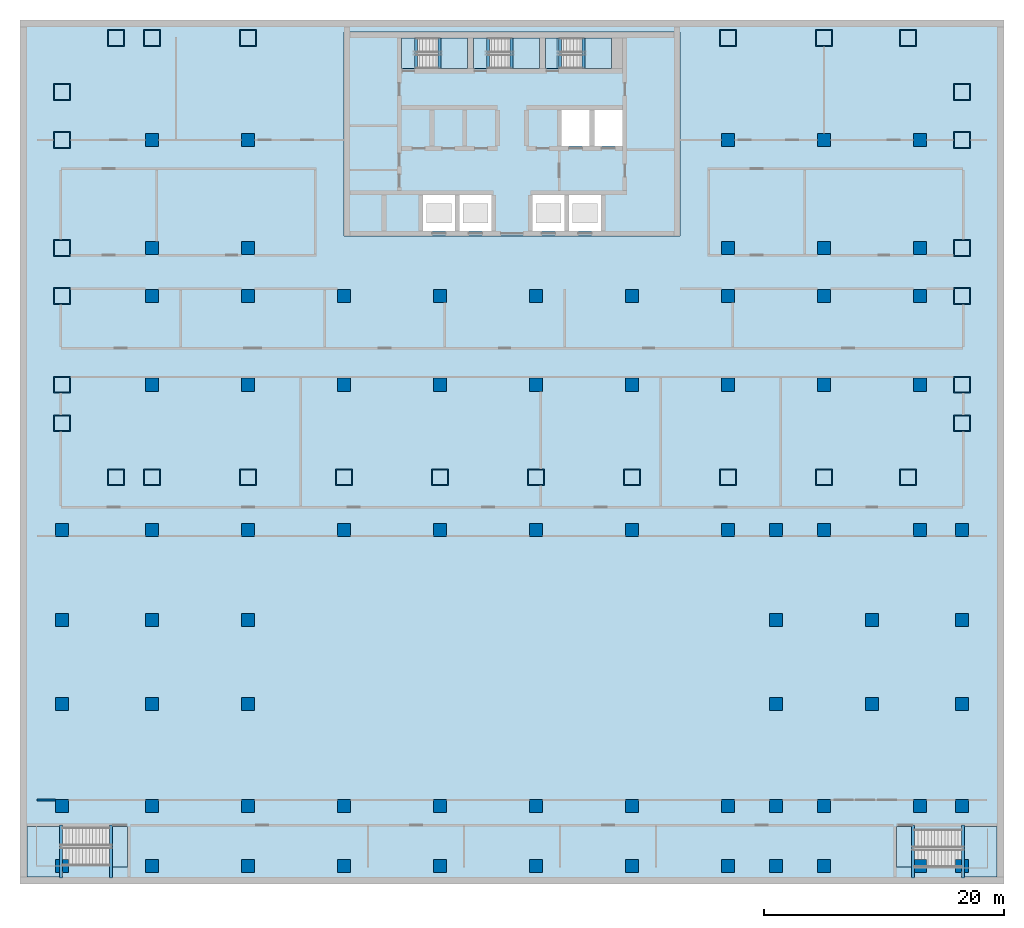
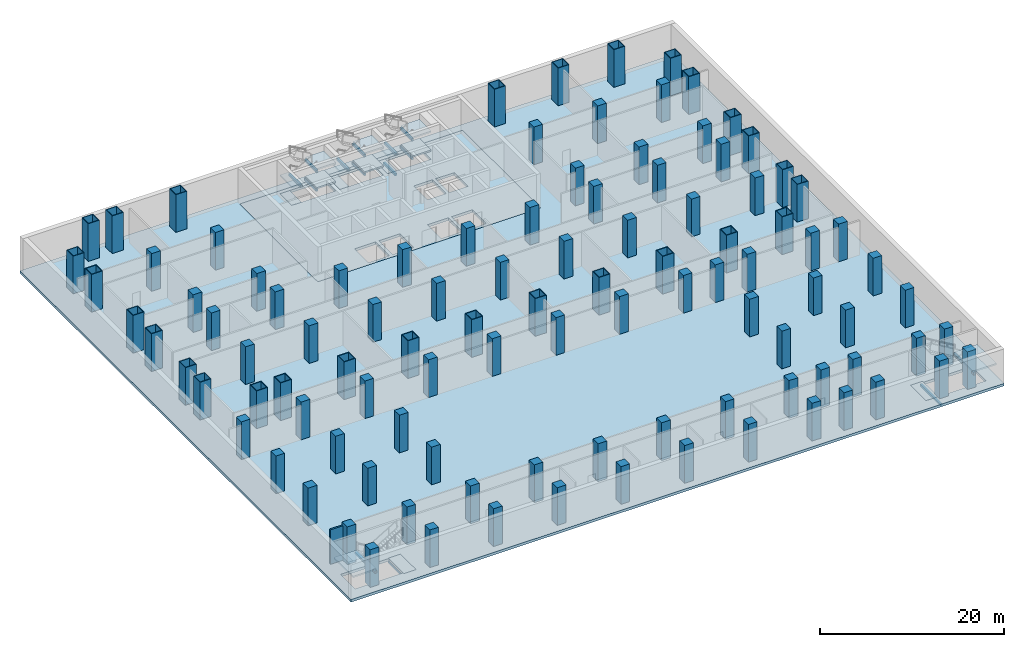
# One storey, part 1 of 12: 104 columns, 18 slabs, 14 beams, 1 wall, 5 elements without a shape of their own.
"""IFC4 building model written with IfcOpenShell, lengths in metres."""

from ifc_helpers import new_model, si_unit, direction, frame, frame_2d, origin, origin_2d, place, context, subcontext, project, spatial, polyline, rectangle, hollow_rectangle, outline, extrude, material, layer, layer_set, material_profile, profile_set, type_object, element, aggregate, save


model = new_model("IFC4")

# Units and contexts
model_context = context("Model", 3, precision=1e-05, world=origin(), true_north=direction((0.0, 1.0)))
body_context = subcontext(model_context, "Body", "Model", "MODEL_VIEW")
ifc_project = project(units=[si_unit("LENGTHUNIT", "METRE"), si_unit("AREAUNIT", "SQUARE_METRE"), si_unit("VOLUMEUNIT", "CUBIC_METRE"), si_unit("PLANEANGLEUNIT", "RADIAN"), si_unit("MASSUNIT", "GRAM", prefix="KILO")], contexts=[model_context])

# Site, building, storey
site_placement = place(None, origin())
site = spatial("IfcSite", under=ifc_project, at=site_placement, CompositionType="ELEMENT")
building_placement = place(site_placement, origin())
building = spatial("IfcBuilding", under=site, at=building_placement, Name="Vidyagriha Tower", CompositionType="ELEMENT")
storey_placement = place(building_placement, frame((0.0, 0.0, -5.0)))
storey = spatial("IfcBuildingStorey", under=building, at=storey_placement, Name="B1", CompositionType="ELEMENT", Elevation=-5.0)

# Columns
ifc_material_1 = material(Name="Steel ASTM A572 Grade 50", Category="steel")
ifc_material_profile_1 = material_profile(ifc_material_1, hollow_rectangle(XDim=1.39990234375, YDim=1.39990234375, WallThickness=0.080078125, at=origin_2d()), Name="BOX 1400x1400x80")
ifc_profile_set_1 = profile_set([ifc_material_profile_1], Name="Steel ASTM A572 Grade 50")
column_type_1 = type_object("IfcColumnType", Name="Exoskeleton column BOX 1400x1400x80", PredefinedType="COLUMN", material=ifc_profile_set_1)
for number, where, name in (
    (1, (-33.0, -17.10009765625, 0.0), "st-col-B1-B1-001"),
    (2, (-30.0, -17.10009765625, 0.0), "st-col-B1-B1-002"),
    (3, (-22.0, -17.10009765625, 0.0), "st-col-B1-B1-003"),
    (4, (-14.0, -17.10009765625, 0.0), "st-col-B1-B1-004"),
    (5, (-6.0, -17.10009765625, 0.0), "st-col-B1-B1-005"),
    (6, (2.0, -17.10009765625, 0.0), "st-col-B1-B1-006"),
    (7, (10.0, -17.10009765625, 0.0), "st-col-B1-B1-007"),
    (8, (18.0, -17.10009765625, 0.0), "st-col-B1-B1-008"),
    (9, (26.0, -17.10009765625, 0.0), "st-col-B1-B1-009"),
    (10, (33.0, -17.10009765625, 0.0), "st-col-B1-B1-010"),
    (11, (-37.5, -12.60009765625, 0.0), "st-col-B1-B1-011"),
    (12, (37.5, -12.60009765625, 0.0), "st-col-B1-B1-012"),
    (13, (-37.5, -9.39990234375, 0.0), "st-col-B1-B1-013"),
    (14, (37.5, -9.39990234375, 0.0), "st-col-B1-B1-023"),
    (15, (-37.5, -2.0, 0.0), "st-col-B1-B1-024"),
    (16, (37.5, -2.0, 0.0), "st-col-B1-B1-034"),
    (17, (-37.5, 2.0, 0.0), "st-col-B1-B1-035"),
    (18, (37.5, 2.0, 0.0), "st-col-B1-B1-041"),
    (19, (-37.5, 11.0, 0.0), "st-col-B1-B1-042"),
    (20, (37.5, 11.0, 0.0), "st-col-B1-B1-048"),
    (21, (-37.5, 15.0, 0.0), "st-col-B1-B1-049"),
    (22, (37.5, 15.0, 0.0), "st-col-B1-B1-050"),
    (23, (-33.0, 19.5, 0.0), "st-col-B1-B1-051"),
    (24, (-30.0, 19.5, 0.0), "st-col-B1-B1-052"),
    (25, (-22.0, 19.5, 0.0), "st-col-B1-B1-053"),
    (26, (18.0, 19.5, 0.0), "st-col-B1-B1-054"),
    (27, (26.0, 19.5, 0.0), "st-col-B1-B1-055"),
    (28, (33.0, 19.5, 0.0), "st-col-B1-B1-056"),
):
    element("IfcColumn", number, at=place(storey_placement, frame(where)), inside=storey, type_object=column_type_1, Name=name, PredefinedType="COLUMN", context=body_context, shape_type="SweptSolid", body=[
        extrude(hollow_rectangle(XDim=1.39990234375, YDim=1.39990234375, WallThickness=0.080078125, at=origin_2d()), origin(), (0.0, 0.0, 1.0), 5.0),
    ])
ifc_material_2 = material(Name="Concrete C80/95", Category="concrete")
ifc_material_profile_2 = material_profile(ifc_material_2, rectangle(XDim=1.10009765625, YDim=1.10009765625, at=origin_2d()), Name="RC 1100x1100")
ifc_profile_set_2 = profile_set([ifc_material_profile_2], Name="Concrete C80/95")
column_type_2 = type_object("IfcColumnType", Name="Frame column RC 1100x1100", PredefinedType="COLUMN", material=ifc_profile_set_2)
for number, where, name in (
    (29, (-30.0, -9.39990234375, 0.0), "st-col-B1-B1-014"),
    (30, (-22.0, -9.39990234375, 0.0), "st-col-B1-B1-015"),
    (31, (-14.0, -9.39990234375, 0.0), "st-col-B1-B1-016"),
    (32, (-6.0, -9.39990234375, 0.0), "st-col-B1-B1-017"),
    (33, (2.0, -9.39990234375, 0.0), "st-col-B1-B1-018"),
    (34, (10.0, -9.39990234375, 0.0), "st-col-B1-B1-019"),
    (35, (18.0, -9.39990234375, 0.0), "st-col-B1-B1-020"),
    (36, (26.0, -9.39990234375, 0.0), "st-col-B1-B1-021"),
    (37, (34.0, -9.39990234375, 0.0), "st-col-B1-B1-022"),
    (38, (-30.0, -2.0, 0.0), "st-col-B1-B1-025"),
    (39, (-22.0, -2.0, 0.0), "st-col-B1-B1-026"),
    (40, (-14.0, -2.0, 0.0), "st-col-B1-B1-027"),
    (41, (-6.0, -2.0, 0.0), "st-col-B1-B1-028"),
    (42, (2.0, -2.0, 0.0), "st-col-B1-B1-029"),
    (43, (10.0, -2.0, 0.0), "st-col-B1-B1-030"),
    (44, (18.0, -2.0, 0.0), "st-col-B1-B1-031"),
    (45, (26.0, -2.0, 0.0), "st-col-B1-B1-032"),
    (46, (34.0, -2.0, 0.0), "st-col-B1-B1-033"),
    (47, (-30.0, 2.0, 0.0), "st-col-B1-B1-036"),
    (48, (-22.0, 2.0, 0.0), "st-col-B1-B1-037"),
    (49, (18.0, 2.0, 0.0), "st-col-B1-B1-038"),
    (50, (26.0, 2.0, 0.0), "st-col-B1-B1-039"),
    (51, (34.0, 2.0, 0.0), "st-col-B1-B1-040"),
    (52, (-30.0, 11.0, 0.0), "st-col-B1-B1-043"),
    (53, (-22.0, 11.0, 0.0), "st-col-B1-B1-044"),
    (54, (18.0, 11.0, 0.0), "st-col-B1-B1-045"),
    (55, (26.0, 11.0, 0.0), "st-col-B1-B1-046"),
    (56, (34.0, 11.0, 0.0), "st-col-B1-B1-047"),
):
    element("IfcColumn", number, at=place(storey_placement, frame(where)), inside=storey, type_object=column_type_2, Name=name, PredefinedType="COLUMN", context=body_context, shape_type="SweptSolid", body=[
        extrude(rectangle(XDim=1.10009765625, YDim=1.10009765625, at=origin_2d()), origin(), (0.0, 0.0, 1.0), 5.0),
    ])
ifc_material_3 = material(Name="Concrete C80/95", Category="concrete")
ifc_material_profile_3 = material_profile(ifc_material_3, rectangle(XDim=1.10009765625, YDim=1.10009765625, at=origin_2d()), Name="RC 1100x1100")
ifc_profile_set_3 = profile_set([ifc_material_profile_3], Name="Concrete C80/95")
column_type_3 = type_object("IfcColumnType", Name="Podium column RC 1100x1100", PredefinedType="COLUMN", material=ifc_profile_set_3)
for number, where, name in (
    (57, (-37.5, -49.5, 0.0), "st-col-B1-P-057"),
    (58, (-30.0, -49.5, 0.0), "st-col-B1-P-058"),
    (59, (-22.0, -49.5, 0.0), "st-col-B1-P-059"),
    (60, (-14.0, -49.5, 0.0), "st-col-B1-P-060"),
    (61, (-6.0, -49.5, 0.0), "st-col-B1-P-061"),
    (62, (2.0, -49.5, 0.0), "st-col-B1-P-062"),
    (63, (10.0, -49.5, 0.0), "st-col-B1-P-063"),
    (64, (18.0, -49.5, 0.0), "st-col-B1-P-064"),
    (65, (22.0, -49.5, 0.0), "st-col-B1-P-065"),
    (66, (26.0, -49.5, 0.0), "st-col-B1-P-066"),
    (67, (34.0, -49.5, 0.0), "st-col-B1-P-067"),
    (68, (37.5, -49.5, 0.0), "st-col-B1-P-068"),
    (69, (-37.5, -44.5, 0.0), "st-col-B1-P-069"),
    (70, (-30.0, -44.5, 0.0), "st-col-B1-P-070"),
    (71, (-22.0, -44.5, 0.0), "st-col-B1-P-071"),
    (72, (-14.0, -44.5, 0.0), "st-col-B1-P-072"),
    (73, (-6.0, -44.5, 0.0), "st-col-B1-P-073"),
    (74, (2.0, -44.5, 0.0), "st-col-B1-P-074"),
    (75, (10.0, -44.5, 0.0), "st-col-B1-P-075"),
    (76, (18.0, -44.5, 0.0), "st-col-B1-P-076"),
    (77, (22.0, -44.5, 0.0), "st-col-B1-P-077"),
    (78, (26.0, -44.5, 0.0), "st-col-B1-P-078"),
    (79, (34.0, -44.5, 0.0), "st-col-B1-P-079"),
    (80, (37.5, -44.5, 0.0), "st-col-B1-P-080"),
    (81, (-37.5, -36.0, 0.0), "st-col-B1-P-081"),
    (82, (-30.0, -36.0, 0.0), "st-col-B1-P-082"),
    (83, (-22.0, -36.0, 0.0), "st-col-B1-P-083"),
    (84, (22.0, -36.0, 0.0), "st-col-B1-P-084"),
    (85, (30.0, -36.0, 0.0), "st-col-B1-P-085"),
    (86, (37.5, -36.0, 0.0), "st-col-B1-P-086"),
    (87, (-37.5, -29.0, 0.0), "st-col-B1-P-087"),
    (88, (-30.0, -29.0, 0.0), "st-col-B1-P-088"),
    (89, (-22.0, -29.0, 0.0), "st-col-B1-P-089"),
    (90, (22.0, -29.0, 0.0), "st-col-B1-P-090"),
    (91, (30.0, -29.0, 0.0), "st-col-B1-P-091"),
    (92, (37.5, -29.0, 0.0), "st-col-B1-P-092"),
    (93, (-37.5, -21.5, 0.0), "st-col-B1-P-093"),
    (94, (-30.0, -21.5, 0.0), "st-col-B1-P-094"),
    (95, (-22.0, -21.5, 0.0), "st-col-B1-P-095"),
    (96, (-14.0, -21.5, 0.0), "st-col-B1-P-096"),
    (97, (-6.0, -21.5, 0.0), "st-col-B1-P-097"),
    (98, (2.0, -21.5, 0.0), "st-col-B1-P-098"),
    (99, (10.0, -21.5, 0.0), "st-col-B1-P-099"),
    (100, (18.0, -21.5, 0.0), "st-col-B1-P-100"),
    (101, (22.0, -21.5, 0.0), "st-col-B1-P-101"),
    (102, (26.0, -21.5, 0.0), "st-col-B1-P-102"),
    (103, (34.0, -21.5, 0.0), "st-col-B1-P-103"),
    (104, (37.5, -21.5, 0.0), "st-col-B1-P-104"),
):
    element("IfcColumn", number, at=place(storey_placement, frame(where)), inside=storey, type_object=column_type_3, Name=name, PredefinedType="COLUMN", context=body_context, shape_type="SweptSolid", body=[
        extrude(rectangle(XDim=1.10009765625, YDim=1.10009765625, at=origin_2d()), origin(), (0.0, 0.0, 1.0), 5.0),
    ])

# Beams
ifc_material_4 = material(Name="Concrete C40/50", Category="concrete")
ifc_material_profile_4 = material_profile(ifc_material_4, rectangle(XDim=0.25, YDim=0.300048828125, at=origin_2d()), Name="Stair landing bearing beam 250x300")
ifc_profile_set_4 = profile_set([ifc_material_profile_4], Name="Concrete C40/50")
beam_type = type_object("IfcBeamType", Name="Stair landing bearing beam 250x300", PredefinedType="BEAM", material=ifc_profile_set_4)
for number, where, z_axis, x_axis, name in (
    (105, (3.875, 16.949951171875, -0.5), (0.0, 1.0, 0.0), (-1.0, 0.0, 0.0), "ST3 floor landing bearing beam B1"),
    (106, (-6.02490234375, 16.949951171875, 0.89990234375), (0.0, 1.0, 0.0), (-1.0, 0.0, 0.0), "ST1 landing bearing beam B1"),
    (107, (-8.014892578125, 16.949951171875, 2.14990234375), (0.0, 1.0, 0.0), (-1.0, 0.0, 0.0), "ST1 landing bearing beam B1"),
    (108, (-6.02490234375, 16.949951171875, 3.39990234375), (0.0, 1.0, 0.0), (-1.0, 0.0, 0.0), "ST1 landing bearing beam B1"),
    (109, (-0.02490234375, 16.949951171875, 0.89990234375), (0.0, 1.0, 0.0), (-1.0, 0.0, 0.0), "ST2 landing bearing beam B1"),
    (110, (-2.014892578125, 16.949951171875, 2.14990234375), (0.0, 1.0, 0.0), (-1.0, 0.0, 0.0), "ST2 landing bearing beam B1"),
    (111, (-0.02490234375, 16.949951171875, 3.39990234375), (0.0, 1.0, 0.0), (-1.0, 0.0, 0.0), "ST2 landing bearing beam B1"),
    (112, (5.97509765625, 16.949951171875, 0.89990234375), (0.0, 1.0, 0.0), (-1.0, 0.0, 0.0), "ST3 landing bearing beam B1"),
    (113, (3.985107421875, 16.949951171875, 2.14990234375), (0.0, 1.0, 0.0), (-1.0, 0.0, 0.0), "ST3 landing bearing beam B1"),
    (114, (5.97509765625, 16.949951171875, 3.39990234375), (0.0, 1.0, 0.0), (-1.0, 0.0, 0.0), "ST3 landing bearing beam B1"),
):
    element("IfcBeam", number, at=place(storey_placement, frame(where, z_axis=z_axis, x_axis=x_axis)), inside=storey, type_object=beam_type, Name=name, PredefinedType="BEAM", context=body_context, shape_type="SweptSolid", body=[
        extrude(rectangle(XDim=0.25, YDim=0.300048828125, at=origin_2d()), origin(), (0.0, 0.0, 1.0), 2.550048828125),
    ])
for number, where, z_axis, x_axis, name in (
    (115, (-33.419921875, -50.5, -0.5), (0.0, 1.0, 0.0), (-1.0, 0.0, 0.0), "PS1 floor landing bearing beam B1"),
    (116, (-37.60009765625, -50.5, 2.14990234375), (0.0, 1.0, 0.0), (-1.0, 0.0, 0.0), "PS1 landing bearing beam B1"),
    (117, (33.419921875, -50.5, -0.5), (0.0, 1.0, 0.0), (-1.0, 0.0, 0.0), "PS2 floor landing bearing beam B1"),
    (118, (37.60009765625, -50.5, 2.14990234375), (0.0, 1.0, 0.0), (-1.0, 0.0, 0.0), "PS2 landing bearing beam B1"),
):
    element("IfcBeam", number, at=place(storey_placement, frame(where, z_axis=z_axis, x_axis=x_axis)), inside=storey, type_object=beam_type, Name=name, PredefinedType="BEAM", context=body_context, shape_type="SweptSolid", body=[
        extrude(rectangle(XDim=0.25, YDim=0.300048828125, at=origin_2d()), origin(), (0.0, 0.0, 1.0), 4.39990234375),
    ])

# Slabs
ifc_material_5 = material(Name="Concrete C50/60", Category="concrete")
ifc_layer_1 = layer(ifc_material_5, 0.35009765625)
ifc_layer_set_1 = layer_set([ifc_layer_1], Name="Concrete C50/60")
slab_type_1 = type_object("IfcSlabType", Name="Basement slab 350", PredefinedType="FLOOR", material=ifc_layer_set_1)
slab_1_placement = place(storey_placement, frame((0.0, 0.0, -0.35009765625)))
element("IfcSlab", 119, at=slab_1_placement, inside=storey, type_object=slab_type_1, Name="st-slab-B1-1", PredefinedType="FLOOR", context=body_context, shape_type="SweptSolid", body=[
    extrude(outline(polyline([(-41.0, -51.0), (-41.0, 21.0), (41.0, 21.0), (41.0, -51.0), (-41.0, -51.0)]), holes=[polyline([(14.0, 20.0), (-14.0, 20.0), (-14.0, 3.0), (14.0, 3.0), (14.0, 20.0)]), polyline([(-33.544921875, -46.22509765625), (-33.544921875, -46.300048828125), (-39.574951171875, -46.300048828125), (-39.574951171875, -49.449951171875), (-33.544921875, -49.449951171875), (-33.544921875, -49.60009765625), (-32.02490234375, -49.60009765625), (-32.02490234375, -46.22509765625), (-33.544921875, -46.22509765625)]), polyline([(33.544921875, -49.60009765625), (39.574951171875, -49.60009765625), (39.574951171875, -46.449951171875), (33.544921875, -46.449951171875), (33.544921875, -46.22509765625), (32.02490234375, -46.22509765625), (32.02490234375, -49.60009765625), (33.544921875, -49.60009765625)])]), origin(), (0.0, 0.0, 1.0), 0.35009765625),
])
ifc_material_6 = material(Name="Concrete C60/75", Category="concrete")
ifc_layer_2 = layer(ifc_material_6, 0.35009765625)
ifc_layer_set_2 = layer_set([ifc_layer_2], Name="Concrete C60/75")
slab_type_2 = type_object("IfcSlabType", Name="Core floor slab 350 mm", PredefinedType="FLOOR", material=ifc_layer_set_2)
slab_2_placement = place(storey_placement, frame((0.0, 0.0, -0.35009765625)))
element("IfcSlab", 120, at=slab_2_placement, inside=storey, type_object=slab_type_2, Name="B1 core floor 1", PredefinedType="FLOOR", context=body_context, shape_type="SweptSolid", body=[
    extrude(outline(polyline([(-14.0, 3.0), (-14.0, 20.0), (14.0, 20.0), (14.0, 3.0), (-14.0, 3.0)]), holes=[polyline([(6.86669921875, 13.5), (6.86669921875, 10.5), (9.199951171875, 10.5), (9.199951171875, 13.5), (6.86669921875, 13.5)]), polyline([(4.0, 19.5), (2.800048828125, 19.5), (2.800048828125, 16.949951171875), (4.0, 16.949951171875), (8.300048828125, 16.949951171875), (8.300048828125, 19.5), (4.0, 19.5)]), polyline([(7.4111328125, 6.39990234375), (4.7666015625, 6.39990234375), (4.7666015625, 3.39990234375), (7.4111328125, 3.39990234375), (7.4111328125, 6.39990234375)]), polyline([(6.466796875, 13.5), (4.13330078125, 13.5), (4.13330078125, 10.5), (6.466796875, 10.5), (6.466796875, 13.5)]), polyline([(1.72216796875, 6.39990234375), (1.72216796875, 3.39990234375), (4.36669921875, 3.39990234375), (4.36669921875, 6.39990234375), (1.72216796875, 6.39990234375)]), polyline([(-2.0, 19.5), (-3.199951171875, 19.5), (-3.199951171875, 16.949951171875), (-2.0, 16.949951171875), (2.300048828125, 16.949951171875), (2.300048828125, 19.5), (-2.0, 19.5)]), polyline([(-1.72216796875, 6.39990234375), (-4.36669921875, 6.39990234375), (-4.36669921875, 3.39990234375), (-1.72216796875, 3.39990234375), (-1.72216796875, 6.39990234375)]), polyline([(-8.0, 19.5), (-9.199951171875, 19.5), (-9.199951171875, 16.949951171875), (-8.0, 16.949951171875), (-3.699951171875, 16.949951171875), (-3.699951171875, 19.5), (-8.0, 19.5)]), polyline([(-7.4111328125, 6.39990234375), (-7.4111328125, 3.39990234375), (-4.7666015625, 3.39990234375), (-4.7666015625, 6.39990234375), (-7.4111328125, 6.39990234375)])]), origin(), (0.0, 0.0, 1.0), 0.35009765625),
])
ifc_material_7 = material(Name="Concrete C40/50", Category="concrete")
ifc_layer_3 = layer(ifc_material_7, 0.35009765625)
ifc_layer_set_3 = layer_set([ifc_layer_3], Name="Concrete C40/50")
slab_type_3 = type_object("IfcSlabType", Name="Exit stair floor landing 350 mm", PredefinedType="LANDING", material=ifc_layer_set_3)
slab_3_placement = place(storey_placement, frame((0.0, 0.0, -0.35009765625)))
element("IfcSlab", 121, at=slab_3_placement, inside=storey, type_object=slab_type_3, Name="ST1 floor landing B1", PredefinedType="LANDING", context=body_context, shape_type="SweptSolid", body=[
    extrude(outline(polyline([(-9.199951171875, 16.949951171875), (-8.0, 16.949951171875), (-8.0, 19.5), (-9.199951171875, 19.5), (-9.199951171875, 16.949951171875)])), origin(), (0.0, 0.0, 1.0), 0.35009765625),
])
slab_4_placement = place(storey_placement, frame((0.0, 0.0, -0.35009765625)))
element("IfcSlab", 122, at=slab_4_placement, inside=storey, type_object=slab_type_3, Name="ST2 floor landing B1", PredefinedType="LANDING", context=body_context, shape_type="SweptSolid", body=[
    extrude(outline(polyline([(-3.199951171875, 16.949951171875), (-2.0, 16.949951171875), (-2.0, 19.5), (-3.199951171875, 19.5), (-3.199951171875, 16.949951171875)])), origin(), (0.0, 0.0, 1.0), 0.35009765625),
])
slab_5_placement = place(storey_placement, frame((0.0, 0.0, -0.35009765625)))
element("IfcSlab", 123, at=slab_5_placement, inside=storey, type_object=slab_type_3, Name="ST3 floor landing B1", PredefinedType="LANDING", context=body_context, shape_type="SweptSolid", body=[
    extrude(outline(polyline([(2.800048828125, 16.949951171875), (4.0, 16.949951171875), (4.0, 19.5), (2.800048828125, 19.5), (2.800048828125, 16.949951171875)])), origin(), (0.0, 0.0, 1.0), 0.35009765625),
])

# Stair, slabs
ifc_material_8 = material(Name="Concrete C40/50", Category="concrete")
stair_type_1 = type_object("IfcStairType", Name="Exit stair, half-turn, precast flights", PredefinedType="HALF_TURN_STAIR", material=ifc_material_8)
stair_1_placement = place(storey_placement, origin())
stair_1 = element("IfcStair", 124, at=stair_1_placement, inside=storey, type_object=stair_type_1, Name="B1 Exit Stair ST1", PredefinedType="HALF_TURN_STAIR")
ifc_material_9 = material(Name="Concrete C40/50", Category="concrete")
ifc_layer_4 = layer(ifc_material_9, 0.199951171875)
ifc_layer_set_4 = layer_set([ifc_layer_4], Name="Concrete C40/50")
slab_type_4 = type_object("IfcSlabType", Name="Exit stair landing 200 mm", PredefinedType="LANDING", material=ifc_layer_set_4)
slab_6_placement = place(storey_placement, frame((0.0, 0.0, 1.050048828125)))
slab_6 = element("IfcSlab", 125, at=slab_6_placement, type_object=slab_type_4, Name="ST1 landing 1", PredefinedType="LANDING", context=body_context, shape_type="SweptSolid", body=[
    extrude(outline(polyline([(-6.0400390625, 16.949951171875), (-3.699951171875, 16.949951171875), (-3.699951171875, 19.5), (-6.0400390625, 19.5), (-6.0400390625, 16.949951171875)])), origin(), (0.0, 0.0, 1.0), 0.199951171875),
])
slab_7_placement = place(storey_placement, frame((0.0, 0.0, 2.300048828125)))
slab_7 = element("IfcSlab", 126, at=slab_7_placement, type_object=slab_type_4, Name="ST1 landing 2", PredefinedType="LANDING", context=body_context, shape_type="SweptSolid", body=[
    extrude(outline(polyline([(-9.199951171875, 16.949951171875), (-8.0, 16.949951171875), (-8.0, 19.5), (-9.199951171875, 19.5), (-9.199951171875, 16.949951171875)])), origin(), (0.0, 0.0, 1.0), 0.199951171875),
])
slab_8_placement = place(storey_placement, frame((0.0, 0.0, 3.550048828125)))
slab_8 = element("IfcSlab", 127, at=slab_8_placement, type_object=slab_type_4, Name="ST1 landing 3", PredefinedType="LANDING", context=body_context, shape_type="SweptSolid", body=[
    extrude(outline(polyline([(-6.0400390625, 16.949951171875), (-3.699951171875, 16.949951171875), (-3.699951171875, 19.5), (-6.0400390625, 19.5), (-6.0400390625, 16.949951171875)])), origin(), (0.0, 0.0, 1.0), 0.199951171875),
])
aggregate(stair_1, [slab_6, slab_7, slab_8])

stair_2_placement = place(storey_placement, origin())
stair_2 = element("IfcStair", 128, at=stair_2_placement, inside=storey, type_object=stair_type_1, Name="B1 Exit Stair ST2", PredefinedType="HALF_TURN_STAIR")
slab_9_placement = place(storey_placement, frame((0.0, 0.0, 1.050048828125)))
slab_9 = element("IfcSlab", 129, at=slab_9_placement, type_object=slab_type_4, Name="ST2 landing 1", PredefinedType="LANDING", context=body_context, shape_type="SweptSolid", body=[
    extrude(outline(polyline([(-0.0400390625, 16.949951171875), (2.300048828125, 16.949951171875), (2.300048828125, 19.5), (-0.0400390625, 19.5), (-0.0400390625, 16.949951171875)])), origin(), (0.0, 0.0, 1.0), 0.199951171875),
])
slab_10_placement = place(storey_placement, frame((0.0, 0.0, 2.300048828125)))
slab_10 = element("IfcSlab", 130, at=slab_10_placement, type_object=slab_type_4, Name="ST2 landing 2", PredefinedType="LANDING", context=body_context, shape_type="SweptSolid", body=[
    extrude(outline(polyline([(-3.199951171875, 16.949951171875), (-2.0, 16.949951171875), (-2.0, 19.5), (-3.199951171875, 19.5), (-3.199951171875, 16.949951171875)])), origin(), (0.0, 0.0, 1.0), 0.199951171875),
])
slab_11_placement = place(storey_placement, frame((0.0, 0.0, 3.550048828125)))
slab_11 = element("IfcSlab", 131, at=slab_11_placement, type_object=slab_type_4, Name="ST2 landing 3", PredefinedType="LANDING", context=body_context, shape_type="SweptSolid", body=[
    extrude(outline(polyline([(-0.0400390625, 16.949951171875), (2.300048828125, 16.949951171875), (2.300048828125, 19.5), (-0.0400390625, 19.5), (-0.0400390625, 16.949951171875)])), origin(), (0.0, 0.0, 1.0), 0.199951171875),
])
aggregate(stair_2, [slab_9, slab_10, slab_11])

stair_3_placement = place(storey_placement, origin())
stair_3 = element("IfcStair", 132, at=stair_3_placement, inside=storey, type_object=stair_type_1, Name="B1 Exit Stair ST3", PredefinedType="HALF_TURN_STAIR")
slab_12_placement = place(storey_placement, frame((0.0, 0.0, 1.050048828125)))
slab_12 = element("IfcSlab", 133, at=slab_12_placement, type_object=slab_type_4, Name="ST3 landing 1", PredefinedType="LANDING", context=body_context, shape_type="SweptSolid", body=[
    extrude(outline(polyline([(5.9599609375, 16.949951171875), (8.300048828125, 16.949951171875), (8.300048828125, 19.5), (5.9599609375, 19.5), (5.9599609375, 16.949951171875)])), origin(), (0.0, 0.0, 1.0), 0.199951171875),
])
slab_13_placement = place(storey_placement, frame((0.0, 0.0, 2.300048828125)))
slab_13 = element("IfcSlab", 134, at=slab_13_placement, type_object=slab_type_4, Name="ST3 landing 2", PredefinedType="LANDING", context=body_context, shape_type="SweptSolid", body=[
    extrude(outline(polyline([(2.800048828125, 16.949951171875), (4.0, 16.949951171875), (4.0, 19.5), (2.800048828125, 19.5), (2.800048828125, 16.949951171875)])), origin(), (0.0, 0.0, 1.0), 0.199951171875),
])
slab_14_placement = place(storey_placement, frame((0.0, 0.0, 3.550048828125)))
slab_14 = element("IfcSlab", 135, at=slab_14_placement, type_object=slab_type_4, Name="ST3 landing 3", PredefinedType="LANDING", context=body_context, shape_type="SweptSolid", body=[
    extrude(outline(polyline([(5.9599609375, 16.949951171875), (8.300048828125, 16.949951171875), (8.300048828125, 19.5), (5.9599609375, 19.5), (5.9599609375, 16.949951171875)])), origin(), (0.0, 0.0, 1.0), 0.199951171875),
])
aggregate(stair_3, [slab_12, slab_13, slab_14])

# Stair, slab
ifc_material_10 = material(Name="Concrete C32/40", Category="concrete")
stair_type_2 = type_object("IfcStairType", Name="Podium Exit Stair 1500", PredefinedType="HALF_TURN_STAIR", material=ifc_material_10)
stair_4_placement = place(storey_placement, origin())
stair_4 = element("IfcStair", 136, at=stair_4_placement, inside=storey, type_object=stair_type_2, Name="B1 Exit Stair PS1", PredefinedType="HALF_TURN_STAIR")
ifc_material_11 = material(Name="Concrete C32/40", Category="concrete")
ifc_layer_5 = layer(ifc_material_11, 0.199951171875)
ifc_layer_set_5 = layer_set([ifc_layer_5], Name="Concrete C32/40")
slab_type_5 = type_object("IfcSlabType", Name="Podium Stair Landing 200", PredefinedType="LANDING", material=ifc_layer_set_5)
slab_15_placement = place(storey_placement, frame((0.0, 0.0, 2.300048828125)))
slab_15 = element("IfcSlab", 137, at=slab_15_placement, type_object=slab_type_5, Name="PS1 landing 1", PredefinedType="LANDING", context=body_context, shape_type="SweptSolid", body=[
    extrude(outline(polyline([(-37.465087890625, -46.22509765625), (-40.39990234375, -46.22509765625), (-40.39990234375, -50.39990234375), (-37.465087890625, -50.39990234375), (-37.465087890625, -46.22509765625)])), origin(), (0.0, 0.0, 1.0), 0.199951171875),
])
aggregate(stair_4, [slab_15])

stair_5_placement = place(storey_placement, origin())
stair_5 = element("IfcStair", 138, at=stair_5_placement, inside=storey, type_object=stair_type_2, Name="B1 Exit Stair PS2", PredefinedType="HALF_TURN_STAIR")
slab_16_placement = place(storey_placement, frame((0.0, 0.0, 2.300048828125)))
slab_16 = element("IfcSlab", 139, at=slab_16_placement, type_object=slab_type_5, Name="PS2 landing 1", PredefinedType="LANDING", context=body_context, shape_type="SweptSolid", body=[
    extrude(outline(polyline([(37.465087890625, -50.39990234375), (40.39990234375, -50.39990234375), (40.39990234375, -46.22509765625), (37.465087890625, -46.22509765625), (37.465087890625, -50.39990234375)])), origin(), (0.0, 0.0, 1.0), 0.199951171875),
])
aggregate(stair_5, [slab_16])

# Slabs
ifc_material_12 = material(Name="Concrete C32/40", Category="concrete")
ifc_layer_6 = layer(ifc_material_12, 0.35009765625)
ifc_layer_set_6 = layer_set([ifc_layer_6], Name="Concrete C32/40")
slab_type_6 = type_object("IfcSlabType", Name="Podium stair floor landing 350 mm", PredefinedType="LANDING", material=ifc_layer_set_6)
slab_17_placement = place(storey_placement, frame((0.0, 0.0, -0.35009765625)))
element("IfcSlab", 140, at=slab_17_placement, inside=storey, type_object=slab_type_6, Name="PS1 floor landing B1", PredefinedType="LANDING", context=body_context, shape_type="SweptSolid", body=[
    extrude(outline(polyline([(-33.544921875, -49.60009765625), (-32.02490234375, -49.60009765625), (-32.02490234375, -46.22509765625), (-33.544921875, -46.22509765625), (-33.544921875, -49.60009765625)])), origin(), (0.0, 0.0, 1.0), 0.35009765625),
])
slab_18_placement = place(storey_placement, frame((0.0, 0.0, -0.35009765625)))
element("IfcSlab", 141, at=slab_18_placement, inside=storey, type_object=slab_type_6, Name="PS2 floor landing B1", PredefinedType="LANDING", context=body_context, shape_type="SweptSolid", body=[
    extrude(outline(polyline([(32.02490234375, -49.60009765625), (33.544921875, -49.60009765625), (33.544921875, -46.22509765625), (32.02490234375, -46.22509765625), (32.02490234375, -49.60009765625)])), origin(), (0.0, 0.0, 1.0), 0.35009765625),
])

# Wall
ifc_material_13 = material(Name="Fire rated gypsum board on light gauge framing")
ifc_layer_7 = layer(ifc_material_13, 0.199951171875)
ifc_layer_set_7 = layer_set([ifc_layer_7], Name="Fire rated gypsum board on light gauge framing")
wall_type = type_object("IfcWallType", Name="Fire Rated Corridor Wall 200", PredefinedType="PARTITIONING", material=ifc_layer_set_7)
wall_placement = place(storey_placement, frame((-39.60009765625, -44.0, 0.0)))
element("IfcWall", 142, at=wall_placement, inside=storey, type_object=wall_type, Name="B1 Fire Rated Corridor Wall 200 003", PredefinedType="PARTITIONING", context=body_context, shape_type="SweptSolid", body=[
    extrude(rectangle(XDim=1.550048828125, YDim=0.199951171875, at=frame_2d((0.77490234375, 0.0))), origin(), (0.0, 0.0, 1.0), 4.580078125),
])

save(model, "model.ifc")
